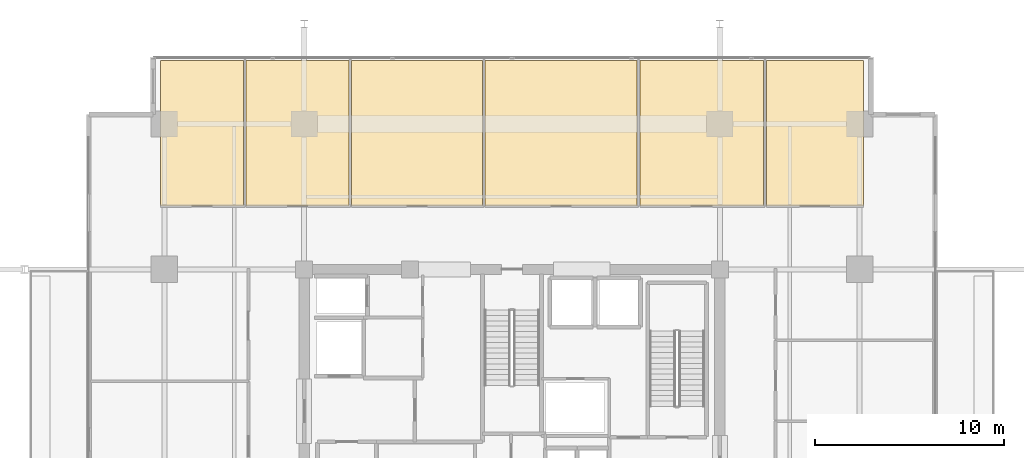
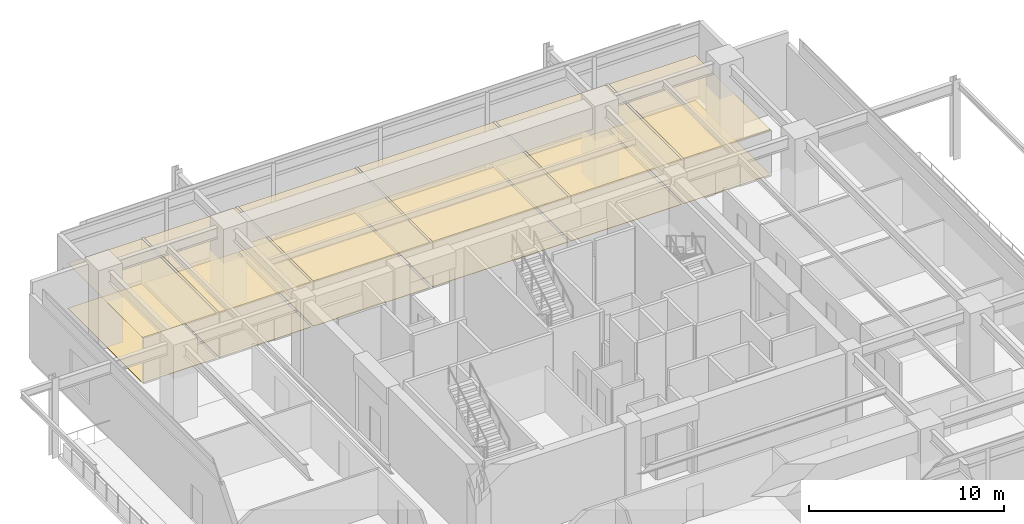
# One storey, part 19 of 19: 12 coverings.
"""IFC4 building model written with IfcOpenShell, lengths in metres."""

import ifcopenshell
import ifcopenshell.guid

model = None  # the IFC model being written
_history = None  # IfcOwnerHistory: only IFC2X3 demands one
_inside = {}  # id of a spatial element -> (the spatial element, [elements in it])
_under = {}  # id of a project, library or spatial element -> (it, [spatial elements below it])
_declared = {}  # id of a project -> (the project, [libraries it declares])
_typed = {}  # id of a type object -> (the type object, [elements of that type])
_made_of = {}  # id of a material, layer set ... -> (it, [elements and type objects made of it])


def new_model(schema):
    """Start an empty IFC model of exactly this schema.

    Asked for "IFC4X3", IfcOpenShell would pick the latest addendum, in which some entities
    have other attributes; the version numbers below select the first issue.
    IFC2X3 requires an IfcOwnerHistory on every rooted entity: one is made here for all.
    """
    global model, _history
    if schema == "IFC4X3":
        model = ifcopenshell.file(schema_version=(4, 3, 0, 0))
    else:
        model = ifcopenshell.file(schema=schema)
    _inside.clear()
    _under.clear()
    _declared.clear()
    _typed.clear()
    _made_of.clear()
    _history = None
    if model.schema == "IFC2X3":
        org = make("IfcOrganization", Name="unknown")
        user = make(
            "IfcPersonAndOrganization",
            ThePerson=make("IfcPerson", FamilyName="unknown"),
            TheOrganization=org,
        )
        app = make(
            "IfcApplication",
            ApplicationDeveloper=org,
            Version="unknown",
            ApplicationFullName="unknown",
            ApplicationIdentifier="unknown",
        )
        _history = make(
            "IfcOwnerHistory",
            OwningUser=user,
            OwningApplication=app,
            ChangeAction="ADDED",
            CreationDate=0,
        )
    return model


def make(cls, **values):
    """One entity of the class cls with the attributes given. An attribute that is None is left unset."""
    return model.create_entity(
        cls, **{name: value for name, value in values.items() if value is not None}
    )


def rooted(cls, **values):
    """An entity with a GlobalId (a new one), such as an element, a storey or a relation."""
    return make(cls, GlobalId=ifcopenshell.guid.new(), OwnerHistory=_history, **values)


def si_unit(unit_type, name, prefix=None):
    """IfcSIUnit, for example si_unit("LENGTHUNIT", "METRE", prefix="MILLI")."""
    return make("IfcSIUnit", UnitType=unit_type, Prefix=prefix, Name=name)


def assignment(units):
    """IfcUnitAssignment: the units of a project."""
    return None if units is None else make("IfcUnitAssignment", Units=units)


def point(xyz):
    """IfcCartesianPoint."""
    return None if xyz is None else make("IfcCartesianPoint", Coordinates=xyz)


def direction(xyz):
    """IfcDirection."""
    return None if xyz is None else make("IfcDirection", DirectionRatios=xyz)


def frame(location, z_axis=None, x_axis=None):
    """IfcAxis2Placement3D, a coordinate frame: its origin and axes. An axis left out is left unset."""
    return make(
        "IfcAxis2Placement3D",
        Location=point(location),
        Axis=direction(z_axis),
        RefDirection=direction(x_axis),
    )


def origin():
    """The frame at (0, 0, 0) with its axes left unset."""
    return frame((0.0, 0.0, 0.0))


def place(relative_to, where):
    """IfcLocalPlacement: puts the frame where relative to a parent placement (None: the world)."""
    return make(
        "IfcLocalPlacement", PlacementRelTo=relative_to, RelativePlacement=where
    )


def context(
    kind, dimensions, precision=None, world=None, true_north=None, identifier=None
):
    """IfcGeometricRepresentationContext, for example the 3D "Model" context."""
    return make(
        "IfcGeometricRepresentationContext",
        ContextIdentifier=identifier,
        ContextType=kind,
        CoordinateSpaceDimension=dimensions,
        Precision=precision,
        WorldCoordinateSystem=world,
        TrueNorth=true_north,
    )


def subcontext(parent, identifier, kind, view, scale=None):
    """IfcGeometricRepresentationSubContext, for example "Body" below "Model"."""
    return make(
        "IfcGeometricRepresentationSubContext",
        ContextIdentifier=identifier,
        ContextType=kind,
        ParentContext=parent,
        TargetScale=scale,
        TargetView=view,
    )


def project(units=None, contexts=None):
    """IfcProject with its units and contexts."""
    return rooted(
        "IfcProject",
        Name="project",
        RepresentationContexts=contexts,
        UnitsInContext=assignment(units),
    )


def spatial(cls, under=None, at=None, **own):
    """A site, building, storey or space (cls), placed at a placement, below another one or the project."""
    s = rooted(cls, ObjectPlacement=at, **own)
    if under is not None:
        _under.setdefault(under.id(), (under, []))[1].append(s)
    return s


def polyline(points):
    """IfcPolyline through the points."""
    return make("IfcPolyline", Points=[point(p) for p in points])


def outline(outer, holes=None, kind="AREA"):
    """IfcArbitraryClosedProfileDef: a profile drawn as a closed curve; with holes, ...WithVoids."""
    if holes is None:
        return make("IfcArbitraryClosedProfileDef", ProfileType=kind, OuterCurve=outer)
    return make(
        "IfcArbitraryProfileDefWithVoids",
        ProfileType=kind,
        OuterCurve=outer,
        InnerCurves=holes,
    )


def extrude(swept, where, along, depth):
    """IfcExtrudedAreaSolid: the profile swept, set in the frame where, extruded along a direction by depth."""
    return make(
        "IfcExtrudedAreaSolid",
        SweptArea=swept,
        Position=where,
        ExtrudedDirection=direction(along),
        Depth=depth,
    )


def shape(context_of_items, identifier, shape_type, items):
    """IfcShapeRepresentation: the items that make up one representation, for example the "Body"."""
    return make(
        "IfcShapeRepresentation",
        ContextOfItems=context_of_items,
        RepresentationIdentifier=identifier,
        RepresentationType=shape_type,
        Items=items,
    )


def material(Name=None, Category=None):
    """IfcMaterial."""
    return make("IfcMaterial", Name=Name, Category=Category)


def layer(
    of_material, thickness, ventilated=None, Name=None, Category=None, Priority=None
):
    """IfcMaterialLayer: one layer of a wall or slab, of a material (None: an air gap)."""
    return make(
        "IfcMaterialLayer",
        Material=of_material,
        LayerThickness=thickness,
        IsVentilated=ventilated,
        Name=Name,
        Category=Category,
        Priority=Priority,
    )


def layer_set(layers, Name=None):
    """IfcMaterialLayerSet."""
    return make("IfcMaterialLayerSet", MaterialLayers=layers, LayerSetName=Name)


def made_of(thing, what):
    """Note that an element or type object is made of a material, layer set ...; save() writes the relation."""
    if what is not None:
        _made_of.setdefault(what.id(), (what, []))[1].append(thing)
    return thing


def type_object(cls, material=None, **own):
    """A type object (cls), such as IfcWallType, which elements share."""
    return made_of(rooted(cls, **own), material)


def element(
    cls,
    number,
    at=None,
    inside=None,
    cuts=None,
    type_object=None,
    material=None,
    context=None,
    identifier="Body",
    shape_type=None,
    held_by="IfcProductDefinitionShape",
    body=None,
    shapes=None,
    **own,
):
    """One element of the class cls, such as IfcWall. Its Tag is "e" and its number.

    at: its placement. inside: the storey or other place that contains it. cuts: it is an
    opening in that element (IfcRelVoidsElement). A single representation is given by context,
    identifier, shape_type and body (its items); several are given by shapes. held_by: the class
    of the entity that holds the representations. save() writes the other relations.
    """
    e = rooted(cls, Tag="e%d" % number, ObjectPlacement=at, **own)
    if body is not None:
        shapes = [shape(context, identifier, shape_type, body)]
    if shapes is not None:
        e.Representation = make(held_by, Representations=shapes)
    if inside is not None:
        _inside.setdefault(inside.id(), (inside, []))[1].append(e)
    if cuts is not None:
        rooted(
            "IfcRelVoidsElement", RelatingBuildingElement=cuts, RelatedOpeningElement=e
        )
    if type_object is not None:
        _typed.setdefault(type_object.id(), (type_object, []))[1].append(e)
    return made_of(e, material)


def aggregate(whole, parts):
    """IfcRelAggregates: a whole, such as a stair, and the parts it consists of."""
    return rooted("IfcRelAggregates", RelatingObject=whole, RelatedObjects=parts)


def save(model, path):
    """Write the relations noted so far, then the file.

    IfcRelAggregates (storeys below a building ...), IfcRelContainedInSpatialStructure (elements
    in a storey), IfcRelDefinesByType, IfcRelAssociatesMaterial and IfcRelDeclares: one each for
    every whole, place, type object, material and project.
    """
    for whole, parts in _under.values():
        aggregate(whole, parts)
    for where, things in _inside.values():
        rooted(
            "IfcRelContainedInSpatialStructure",
            RelatedElements=things,
            RelatingStructure=where,
        )
    for kind, things in _typed.values():
        rooted("IfcRelDefinesByType", RelatedObjects=things, RelatingType=kind)
    for what, things in _made_of.values():
        rooted("IfcRelAssociatesMaterial", RelatedObjects=things, RelatingMaterial=what)
    for by, libraries in _declared.values():
        rooted("IfcRelDeclares", RelatingContext=by, RelatedDefinitions=libraries)
    model.write(path)


model = new_model("IFC4")

# Units and contexts
model_context = context("Model", 3, precision=1e-05, world=origin(), true_north=direction((0.0, 1.0)))
body_context = subcontext(model_context, "Body", "Model", "MODEL_VIEW")
ifc_project = project(units=[si_unit("LENGTHUNIT", "METRE"), si_unit("AREAUNIT", "SQUARE_METRE"), si_unit("VOLUMEUNIT", "CUBIC_METRE"), si_unit("PLANEANGLEUNIT", "RADIAN"), si_unit("MASSUNIT", "GRAM", prefix="KILO")], contexts=[model_context])

# Site, building, storey
site_placement = place(None, origin())
site = spatial("IfcSite", under=ifc_project, at=site_placement, CompositionType="ELEMENT")
building_placement = place(site_placement, origin())
building = spatial("IfcBuilding", under=site, at=building_placement, Name="Kovane Verandah Tower", CompositionType="ELEMENT")
storey_placement = place(building_placement, frame((0.0, 0.0, 200.199951171875)))
storey = spatial("IfcBuildingStorey", under=building, at=storey_placement, Name="L46", CompositionType="ELEMENT", Elevation=200.199951171875)

# Coverings
ifc_material_1 = material(Name="Perforated Acoustic Mineral-Fibre Ceiling Tile", Category="gypsum")
ifc_layer_1 = layer(ifc_material_1, 0.02490234375)
ifc_layer_set_1 = layer_set([ifc_layer_1], Name="Perforated Acoustic Mineral-Fibre Ceiling Tile")
covering_type_1 = type_object("IfcCoveringType", Name="CV-CEIL-25", PredefinedType="CEILING", material=ifc_layer_set_1)
covering_1_placement = place(storey_placement, frame((0.0, 0.0, 2.824951171875)))
element("IfcCovering", 1, at=covering_1_placement, inside=storey, type_object=covering_type_1, Name="L46 Sky-Garden Botanical Co-Working Hall N1 Acoustic Ceiling", PredefinedType="CEILING", context=body_context, shape_type="SweptSolid", body=[
    extrude(outline(polyline([(21.39990234375, 39.85009765625), (25.7939453125, 39.85009765625), (25.7939453125, 47.550048828125), (21.39990234375, 47.550048828125), (21.39990234375, 39.85009765625)])), origin(), (0.0, 0.0, 1.0), 0.025146484375),
])
covering_2_placement = place(storey_placement, frame((0.0, 0.0, 2.824951171875)))
element("IfcCovering", 2, at=covering_2_placement, inside=storey, type_object=covering_type_1, Name="L46 Collaboration Hub N2 Acoustic Ceiling", PredefinedType="CEILING", context=body_context, shape_type="SweptSolid", body=[
    extrude(outline(polyline([(25.93408203125, 39.85009765625), (31.3740234375, 39.85009765625), (31.3740234375, 47.550048828125), (25.93408203125, 47.550048828125), (25.93408203125, 39.85009765625)])), origin(), (0.0, 0.0, 1.0), 0.025146484375),
])
covering_3_placement = place(storey_placement, frame((0.0, 0.0, 2.824951171875)))
element("IfcCovering", 3, at=covering_3_placement, inside=storey, type_object=covering_type_1, Name="L46 Document and Print Room N3 Acoustic Ceiling", PredefinedType="CEILING", context=body_context, shape_type="SweptSolid", body=[
    extrude(outline(polyline([(31.513916015625, 39.85009765625), (38.44189453125, 39.85009765625), (38.44189453125, 47.550048828125), (31.513916015625, 47.550048828125), (31.513916015625, 39.85009765625)])), origin(), (0.0, 0.0, 1.0), 0.025146484375),
])
covering_4_placement = place(storey_placement, frame((0.0, 0.0, 2.824951171875)))
element("IfcCovering", 4, at=covering_4_placement, inside=storey, type_object=covering_type_1, Name="L46 Open Plan Office N4 Acoustic Ceiling", PredefinedType="CEILING", context=body_context, shape_type="SweptSolid", body=[
    extrude(outline(polyline([(38.58203125, 39.85009765625), (46.6259765625, 39.85009765625), (46.6259765625, 47.550048828125), (38.58203125, 47.550048828125), (38.58203125, 39.85009765625)])), origin(), (0.0, 0.0, 1.0), 0.025146484375),
])
covering_5_placement = place(storey_placement, frame((0.0, 0.0, 2.824951171875)))
element("IfcCovering", 5, at=covering_5_placement, inside=storey, type_object=covering_type_1, Name="L46 Executive Office N5 Acoustic Ceiling", PredefinedType="CEILING", context=body_context, shape_type="SweptSolid", body=[
    extrude(outline(polyline([(46.76611328125, 39.85009765625), (53.322021484375, 39.85009765625), (53.322021484375, 47.550048828125), (46.76611328125, 47.550048828125), (46.76611328125, 39.85009765625)])), origin(), (0.0, 0.0, 1.0), 0.025146484375),
])
covering_6_placement = place(storey_placement, frame((0.0, 0.0, 2.824951171875)))
element("IfcCovering", 6, at=covering_6_placement, inside=storey, type_object=covering_type_1, Name="L46 Client Boardroom N6 Acoustic Ceiling", PredefinedType="CEILING", context=body_context, shape_type="SweptSolid", body=[
    extrude(outline(polyline([(53.4619140625, 39.85009765625), (58.60009765625, 39.85009765625), (58.60009765625, 47.550048828125), (53.4619140625, 47.550048828125), (53.4619140625, 39.85009765625)])), origin(), (0.0, 0.0, 1.0), 0.025146484375),
])
ifc_material_2 = material(Name="Polished Terrazzo and Raised-Access Carpet Tile Finish", Category="concrete")
ifc_layer_2 = layer(ifc_material_2, 0.030029296875)
ifc_layer_set_2 = layer_set([ifc_layer_2], Name="Polished Terrazzo and Raised-Access Carpet Tile Finish")
covering_type_2 = type_object("IfcCoveringType", Name="CV-FLOR-30", PredefinedType="FLOORING", material=ifc_layer_set_2)
covering_7_placement = place(storey_placement, origin())
element("IfcCovering", 7, at=covering_7_placement, inside=storey, type_object=covering_type_2, Name="L46 Sky-Garden Botanical Co-Working Hall N1 Floor Finish", PredefinedType="FLOORING", context=body_context, shape_type="SweptSolid", body=[
    extrude(outline(polyline([(21.39990234375, 39.85009765625), (25.7939453125, 39.85009765625), (25.7939453125, 47.550048828125), (21.39990234375, 47.550048828125), (21.39990234375, 39.85009765625)])), origin(), (0.0, 0.0, 1.0), 0.030029296875),
])
covering_8_placement = place(storey_placement, origin())
element("IfcCovering", 8, at=covering_8_placement, inside=storey, type_object=covering_type_2, Name="L46 Collaboration Hub N2 Floor Finish", PredefinedType="FLOORING", context=body_context, shape_type="SweptSolid", body=[
    extrude(outline(polyline([(25.93408203125, 39.85009765625), (31.3740234375, 39.85009765625), (31.3740234375, 47.550048828125), (25.93408203125, 47.550048828125), (25.93408203125, 39.85009765625)])), origin(), (0.0, 0.0, 1.0), 0.030029296875),
])
covering_9_placement = place(storey_placement, origin())
element("IfcCovering", 9, at=covering_9_placement, inside=storey, type_object=covering_type_2, Name="L46 Document and Print Room N3 Floor Finish", PredefinedType="FLOORING", context=body_context, shape_type="SweptSolid", body=[
    extrude(outline(polyline([(31.513916015625, 39.85009765625), (38.44189453125, 39.85009765625), (38.44189453125, 47.550048828125), (31.513916015625, 47.550048828125), (31.513916015625, 39.85009765625)])), origin(), (0.0, 0.0, 1.0), 0.030029296875),
])
covering_10_placement = place(storey_placement, origin())
element("IfcCovering", 10, at=covering_10_placement, inside=storey, type_object=covering_type_2, Name="L46 Open Plan Office N4 Floor Finish", PredefinedType="FLOORING", context=body_context, shape_type="SweptSolid", body=[
    extrude(outline(polyline([(38.58203125, 39.85009765625), (46.6259765625, 39.85009765625), (46.6259765625, 47.550048828125), (38.58203125, 47.550048828125), (38.58203125, 39.85009765625)])), origin(), (0.0, 0.0, 1.0), 0.030029296875),
])
covering_11_placement = place(storey_placement, origin())
element("IfcCovering", 11, at=covering_11_placement, inside=storey, type_object=covering_type_2, Name="L46 Executive Office N5 Floor Finish", PredefinedType="FLOORING", context=body_context, shape_type="SweptSolid", body=[
    extrude(outline(polyline([(46.76611328125, 39.85009765625), (53.322021484375, 39.85009765625), (53.322021484375, 47.550048828125), (46.76611328125, 47.550048828125), (46.76611328125, 39.85009765625)])), origin(), (0.0, 0.0, 1.0), 0.030029296875),
])
covering_12_placement = place(storey_placement, origin())
element("IfcCovering", 12, at=covering_12_placement, inside=storey, type_object=covering_type_2, Name="L46 Client Boardroom N6 Floor Finish", PredefinedType="FLOORING", context=body_context, shape_type="SweptSolid", body=[
    extrude(outline(polyline([(53.4619140625, 39.85009765625), (58.60009765625, 39.85009765625), (58.60009765625, 47.550048828125), (53.4619140625, 47.550048828125), (53.4619140625, 39.85009765625)])), origin(), (0.0, 0.0, 1.0), 0.030029296875),
])

save(model, "model.ifc")
